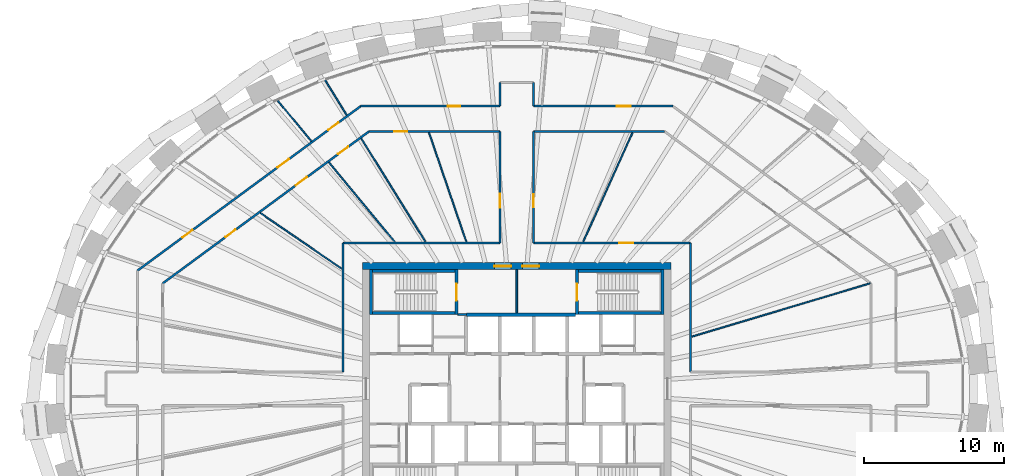
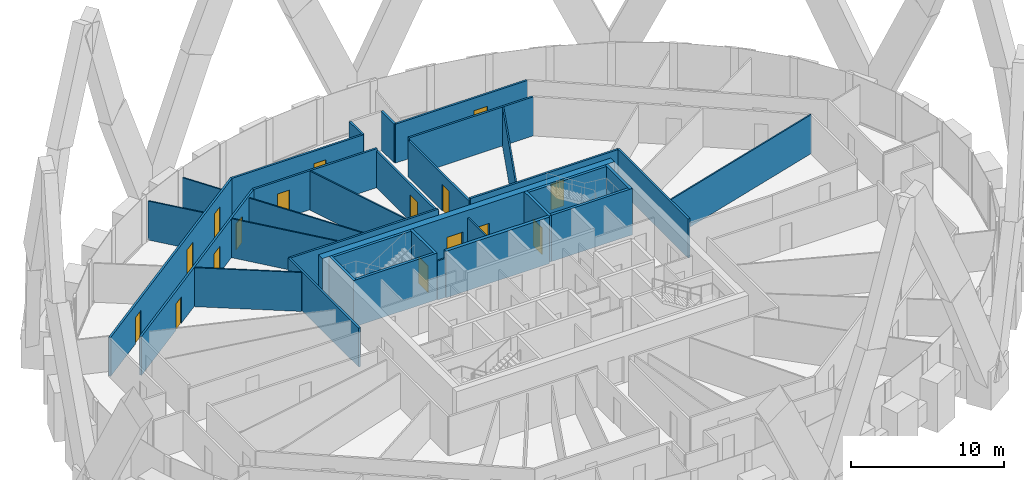
# One storey, part 11 of 14: 34 walls, 16 doors, 16 openings.
"""IFC4 building model written with IfcOpenShell, lengths in metres."""

from ifc_helpers import new_model, si_unit, direction, frame, frame_2d, origin, place, context, subcontext, project, spatial, rectangle, extrude, source, transform, mapped, material, layer, layer_set, type_object, element, fill, save


model = new_model("IFC4")

# Units and contexts
model_context = context("Model", 3, precision=1e-05, world=origin(), true_north=direction((0.0, 1.0)))
body_context = subcontext(model_context, "Body", "Model", "MODEL_VIEW")
ifc_project = project(units=[si_unit("LENGTHUNIT", "METRE"), si_unit("AREAUNIT", "SQUARE_METRE"), si_unit("VOLUMEUNIT", "CUBIC_METRE"), si_unit("PLANEANGLEUNIT", "RADIAN"), si_unit("MASSUNIT", "GRAM", prefix="KILO")], contexts=[model_context])

# Site, building, storey
site_placement = place(None, origin())
site = spatial("IfcSite", under=ifc_project, at=site_placement, CompositionType="ELEMENT")
building_placement = place(site_placement, origin())
building = spatial("IfcBuilding", under=site, at=building_placement, Name="Embergate Tower", CompositionType="ELEMENT")
storey_placement = place(building_placement, frame((0.0, 0.0, 257.800048828125)))
storey = spatial("IfcBuildingStorey", under=building, at=storey_placement, Name="L59", CompositionType="ELEMENT", Elevation=257.800048828125)

# Wall, openings, doors
ifc_material_1 = material(Name="Concrete C50", Category="concrete")
ifc_layer_1 = layer(ifc_material_1, 0.5)
ifc_layer_set_1 = layer_set([ifc_layer_1], Name="Concrete C50")
wall_type_1 = type_object("IfcWallType", Name="Core outer wall C50 500", PredefinedType="SHEAR", material=ifc_layer_set_1)
shared_shape_1 = source(origin(), body_context, "Body", "SweptSolid", [
    extrude(rectangle(XDim=22.0, YDim=0.5, at=frame_2d((11.0, 0.0))), origin(), (0.0, 0.0, 1.0), 3.89990234375),
])
wall_1_placement = place(storey_placement, frame((-11.0, 8.75, -0.199951171875), z_axis=(0.0, 0.0, 1.0), x_axis=(1.0, 0.0, 0.0)))
wall_1 = element("IfcWall", 1, at=wall_1_placement, inside=storey, type_object=wall_type_1, Name="CW-L59-N", PredefinedType="SHEAR", context=body_context, shape_type="MappedRepresentation", body=[
    mapped(shared_shape_1, transform((0.0, 0.0, 0.0))),
])
shared_shape_2 = source(origin(), body_context, "Body", "SweptSolid", [
    extrude(rectangle(XDim=1.199951171875, YDim=2.10009765625, at=frame_2d((0.60009765625, 1.050048828125))), frame((0.0, 0.260009765625, 0.0), z_axis=(0.0, -1.0, 0.0), x_axis=(1.0, 0.0, 0.0)), (0.0, 0.0, 1.0), 0.52001953125),
])
opening_1_placement = place(wall_1_placement, frame((9.39990234375, 0.0, 0.199951171875)))
opening_1 = element("IfcOpeningElement", 2, at=opening_1_placement, cuts=wall_1, Name="Opening IF-1", PredefinedType="OPENING", context=body_context, shape_type="MappedRepresentation", body=[
    mapped(shared_shape_2, transform((0.0, 0.0, 0.0))),
])
opening_2_placement = place(wall_1_placement, frame((11.39990234375, 0.0, 0.199951171875)))
opening_2 = element("IfcOpeningElement", 3, at=opening_2_placement, cuts=wall_1, Name="Opening IF-1", PredefinedType="OPENING", context=body_context, shape_type="MappedRepresentation", body=[
    mapped(shared_shape_2, transform((0.0, 0.0, 0.0))),
])
ifc_material_2 = material(Name="Escape fire door 1200")
door_type_1 = type_object("IfcDoorType", Name="Escape fire door 1200", OperationType="SINGLE_SWING_LEFT", PredefinedType="DOOR", material=ifc_material_2)
shared_shape_3 = source(origin(), body_context, "Body", "SweptSolid", [
    extrude(rectangle(XDim=1.199951171875, YDim=2.10009765625, at=frame_2d((0.60009765625, 1.050048828125))), frame((0.0, 0.02490234375, 0.0), z_axis=(0.0, -1.0, 0.0), x_axis=(1.0, 0.0, 0.0)), (0.0, 0.0, 1.0), 0.050048828125),
])
door_1_placement = place(opening_1_placement, origin())
door_1 = element("IfcDoor", 4, at=door_1_placement, inside=storey, type_object=door_type_1, Name="IF-1 door", OperationType="SINGLE_SWING_RIGHT", OverallHeight=2.10009765625, OverallWidth=1.199951171875, PredefinedType="DOOR", context=body_context, shape_type="MappedRepresentation", body=[
    mapped(shared_shape_3, transform((0.0, 0.0, 0.0))),
])
fill(opening_1, door_1)
door_2_placement = place(opening_2_placement, origin())
door_2 = element("IfcDoor", 5, at=door_2_placement, inside=storey, type_object=door_type_1, Name="IF-1 door", OperationType="SINGLE_SWING_RIGHT", OverallHeight=2.10009765625, OverallWidth=1.199951171875, PredefinedType="DOOR", context=body_context, shape_type="MappedRepresentation", body=[
    mapped(shared_shape_3, transform((0.0, 0.0, 0.0))),
])
fill(opening_2, door_2)

# Wall
ifc_layer_2 = layer(ifc_material_1, 0.199951171875)
ifc_layer_set_2 = layer_set([ifc_layer_2], Name="Concrete C50")
wall_type_2 = type_object("IfcWallType", Name="Stair enclosure wall reinforced concrete 250", PredefinedType="SHEAR", material=ifc_layer_set_2)
shared_shape_4 = source(origin(), body_context, "Body", "SweptSolid", [
    extrude(rectangle(XDim=6.300048828125, YDim=0.199951171875, at=frame_2d((3.14990234375, 0.0))), origin(), (0.0, 0.0, 1.0), 3.699951171875),
])
wall_2_placement = place(storey_placement, frame((10.5, 5.39990234375, 0.0), z_axis=(0.0, 0.0, 1.0), x_axis=(-1.0, 0.0, 0.0)))
element("IfcWall", 6, at=wall_2_placement, inside=storey, type_object=wall_type_2, Name="SE-1 wall", PredefinedType="SHEAR", context=body_context, shape_type="MappedRepresentation", body=[
    mapped(shared_shape_4, transform((0.0, 0.0, 0.0))),
])

# Wall, opening, door
shared_shape_5 = source(origin(), body_context, "Body", "SweptSolid", [
    extrude(rectangle(XDim=3.199951171875, YDim=0.199951171875, at=frame_2d((1.60009765625, 0.0))), origin(), (0.0, 0.0, 1.0), 3.699951171875),
])
wall_3_placement = place(storey_placement, frame((-4.300048828125, 5.300048828125, 0.0), z_axis=(0.0, 0.0, 1.0), x_axis=(0.0, 1.0, 0.0)))
wall_3 = element("IfcWall", 7, at=wall_3_placement, inside=storey, type_object=wall_type_2, Name="SE-1 wall", PredefinedType="SHEAR", context=body_context, shape_type="MappedRepresentation", body=[
    mapped(shared_shape_5, transform((0.0, 0.0, 0.0))),
])
shared_shape_6 = source(origin(), body_context, "Body", "SweptSolid", [
    extrude(rectangle(XDim=1.199951171875, YDim=2.10009765625, at=frame_2d((0.60009765625, 1.050048828125))), frame((0.0, 0.10986328125, 0.0), z_axis=(0.0, -1.0, 0.0), x_axis=(1.0, 0.0, 0.0)), (0.0, 0.0, 1.0), 0.219970703125),
])
opening_3_placement = place(wall_3_placement, frame((1.0, 0.0, 0.0)))
opening_3 = element("IfcOpeningElement", 8, at=opening_3_placement, cuts=wall_3, Name="Opening IF-2", PredefinedType="OPENING", context=body_context, shape_type="MappedRepresentation", body=[
    mapped(shared_shape_6, transform((0.0, 0.0, 0.0))),
])
ifc_material_3 = material(Name="Stair enclosure door 1200")
door_type_2 = type_object("IfcDoorType", Name="Stair enclosure door 1200", OperationType="SINGLE_SWING_LEFT", PredefinedType="DOOR", material=ifc_material_3)
door_3_placement = place(opening_3_placement, origin())
door_3 = element("IfcDoor", 9, at=door_3_placement, inside=storey, type_object=door_type_2, Name="IF-2 door", OperationType="SINGLE_SWING_LEFT", OverallHeight=2.10009765625, OverallWidth=1.199951171875, PredefinedType="DOOR", context=body_context, shape_type="MappedRepresentation", body=[
    mapped(shared_shape_3, transform((0.0, 0.0, 0.0))),
])
fill(opening_3, door_3)

wall_4_placement = place(storey_placement, frame((4.300048828125, 8.5, 0.0), z_axis=(0.0, 0.0, 1.0), x_axis=(0.0, -1.0, 0.0)))
wall_4 = element("IfcWall", 10, at=wall_4_placement, inside=storey, type_object=wall_type_2, Name="SE-1 wall", PredefinedType="SHEAR", context=body_context, shape_type="MappedRepresentation", body=[
    mapped(shared_shape_5, transform((0.0, 0.0, 0.0))),
])
opening_4_placement = place(wall_4_placement, frame((1.0, 0.0, 0.0)))
opening_4 = element("IfcOpeningElement", 11, at=opening_4_placement, cuts=wall_4, Name="Opening IF-2", PredefinedType="OPENING", context=body_context, shape_type="MappedRepresentation", body=[
    mapped(shared_shape_6, transform((0.0, 0.0, 0.0))),
])
door_4_placement = place(opening_4_placement, origin())
door_4 = element("IfcDoor", 12, at=door_4_placement, inside=storey, type_object=door_type_2, Name="IF-2 door", OperationType="SINGLE_SWING_RIGHT", OverallHeight=2.10009765625, OverallWidth=1.199951171875, PredefinedType="DOOR", context=body_context, shape_type="MappedRepresentation", body=[
    mapped(shared_shape_3, transform((0.0, 0.0, 0.0))),
])
fill(opening_4, door_4)

# Walls
ifc_material_4 = material(Name="Corridor wall dry-lined 150")
ifc_layer_3 = layer(ifc_material_4, 0.14990234375)
ifc_layer_set_3 = layer_set([ifc_layer_3], Name="Corridor wall dry-lined 150")
wall_type_3 = type_object("IfcWallType", Name="Corridor wall dry-lined 150", PredefinedType="PARTITIONING", material=ifc_layer_set_3)
shared_shape_7 = source(origin(), body_context, "Body", "SweptSolid", [
    extrude(rectangle(XDim=9.199951171875, YDim=0.14990234375, at=frame_2d((4.60009765625, 0.0))), origin(), (0.0, 0.0, 1.0), 3.099853515625),
])
for number, where, z_axis, x_axis, name in (
    (13, (12.39990234375, 1.199951171875, 0.0), (0.0, 0.0, 1.0), (0.0, 1.0, 0.0), "IP-2 wall"),
    (14, (-12.39990234375, 10.39990234375, 0.0), (0.0, 0.0, 1.0), (0.0, -1.0, 0.0), "IP-2 wall"),
):
    element("IfcWall", number, at=place(storey_placement, frame(where, z_axis=z_axis, x_axis=x_axis)), inside=storey, type_object=wall_type_3, Name=name, PredefinedType="PARTITIONING", context=body_context, shape_type="MappedRepresentation", body=[
        mapped(shared_shape_7, transform((0.0, 0.0, 0.0))),
    ])

# Wall, opening, door
shared_shape_8 = source(origin(), body_context, "Body", "SweptSolid", [
    extrude(rectangle(XDim=11.199951171875, YDim=0.14990234375, at=frame_2d((5.60009765625, 0.0))), origin(), (0.0, 0.0, 1.0), 3.099853515625),
])
wall_5_placement = place(storey_placement, frame((1.199951171875, 10.39990234375, 0.0), z_axis=(0.0, 0.0, 1.0), x_axis=(1.0, 0.0, 0.0)))
wall_5 = element("IfcWall", 15, at=wall_5_placement, inside=storey, type_object=wall_type_3, Name="IP-2 wall", PredefinedType="PARTITIONING", context=body_context, shape_type="MappedRepresentation", body=[
    mapped(shared_shape_8, transform((0.0, 0.0, 0.0))),
])
shared_shape_9 = source(origin(), body_context, "Body", "SweptSolid", [
    extrude(rectangle(XDim=1.0, YDim=2.10009765625, at=frame_2d((0.5, 1.050048828125))), frame((0.0, 0.0849609375, 0.0), z_axis=(0.0, -1.0, 0.0), x_axis=(1.0, 0.0, 0.0)), (0.0, 0.0, 1.0), 0.169921875),
])
opening_5_placement = place(wall_5_placement, frame((6.089111328125, 0.0, 0.0)))
opening_5 = element("IfcOpeningElement", 16, at=opening_5_placement, cuts=wall_5, Name="Opening ID-2", PredefinedType="OPENING", context=body_context, shape_type="MappedRepresentation", body=[
    mapped(shared_shape_9, transform((0.0, 0.0, 0.0))),
])
ifc_material_5 = material(Name="Interior door 1000")
door_type_3 = type_object("IfcDoorType", Name="Interior door 1000", OperationType="SINGLE_SWING_LEFT", PredefinedType="DOOR", material=ifc_material_5)
shared_shape_10 = source(origin(), body_context, "Body", "SweptSolid", [
    extrude(rectangle(XDim=1.0, YDim=2.10009765625, at=frame_2d((0.5, 1.050048828125))), frame((0.0, 0.02490234375, 0.0), z_axis=(0.0, -1.0, 0.0), x_axis=(1.0, 0.0, 0.0)), (0.0, 0.0, 1.0), 0.050048828125),
])
door_5_placement = place(opening_5_placement, origin())
door_5 = element("IfcDoor", 17, at=door_5_placement, inside=storey, type_object=door_type_3, Name="ID-2 door", OperationType="SINGLE_SWING_LEFT", OverallHeight=2.10009765625, OverallWidth=1.0, PredefinedType="DOOR", context=body_context, shape_type="MappedRepresentation", body=[
    mapped(shared_shape_10, transform((0.0, 0.0, 0.0))),
])
fill(opening_5, door_5)

# Walls
wall_6_placement = place(storey_placement, frame((-12.39990234375, 10.39990234375, 0.0), z_axis=(0.0, 0.0, 1.0), x_axis=(1.0, 0.0, 0.0)))
element("IfcWall", 18, at=wall_6_placement, inside=storey, type_object=wall_type_3, Name="IP-2 wall", PredefinedType="PARTITIONING", context=body_context, shape_type="MappedRepresentation", body=[
    mapped(shared_shape_8, transform((0.0, 0.0, 0.0))),
])
ifc_layer_4 = layer(ifc_material_1, 0.25)
ifc_layer_set_4 = layer_set([ifc_layer_4], Name="Concrete C50")
wall_type_4 = type_object("IfcWallType", Name="Hoistway wall reinforced concrete 250", PredefinedType="SHEAR", material=ifc_layer_set_4)
shared_shape_11 = source(origin(), body_context, "Body", "SweptSolid", [
    extrude(rectangle(XDim=7.800048828125, YDim=0.25, at=frame_2d((3.89990234375, 0.0))), origin(), (0.0, 0.0, 1.0), 3.699951171875),
])
wall_7_placement = place(storey_placement, frame((4.199951171875, 5.300048828125, 0.0), z_axis=(0.0, 0.0, 1.0), x_axis=(-1.0, 0.0, 0.0)))
element("IfcWall", 19, at=wall_7_placement, inside=storey, type_object=wall_type_4, Name="HW-1 wall", PredefinedType="SHEAR", context=body_context, shape_type="MappedRepresentation", body=[
    mapped(shared_shape_11, transform((0.0, 0.0, 0.0))),
])
ifc_material_6 = material(Name="Core partition blockwork 120")
ifc_layer_5 = layer(ifc_material_6, 0.1201171875)
ifc_layer_set_5 = layer_set([ifc_layer_5], Name="Core partition blockwork 120")
wall_type_5 = type_object("IfcWallType", Name="Core partition blockwork 120", PredefinedType="PARTITIONING", material=ifc_layer_set_5)
shared_shape_12 = source(origin(), body_context, "Body", "SweptSolid", [
    extrude(rectangle(XDim=3.074951171875, YDim=0.1201171875, at=frame_2d((1.53759765625, 0.0))), origin(), (0.0, 0.0, 1.0), 3.099853515625),
])
wall_8_placement = place(storey_placement, frame((0.0, 5.425048828125, 0.0), z_axis=(0.0, 0.0, 1.0), x_axis=(0.0, 1.0, 0.0)))
element("IfcWall", 20, at=wall_8_placement, inside=storey, type_object=wall_type_5, Name="IP-3 wall", PredefinedType="PARTITIONING", context=body_context, shape_type="MappedRepresentation", body=[
    mapped(shared_shape_12, transform((0.0, 0.0, 0.0))),
])
shared_shape_13 = source(origin(), body_context, "Body", "SweptSolid", [
    extrude(rectangle(XDim=6.298095703125, YDim=0.199951171875, at=frame_2d((3.14892578125, 0.0))), origin(), (0.0, 0.0, 1.0), 3.699951171875),
])
for number, where, z_axis, x_axis, name in (
    (21, (-4.201904296875, 5.39990234375, 0.0), (0.0, 0.0, 1.0), (-1.0, 0.0, 0.0), "SE-1 wall"),
    (22, (-4.201904296875, 8.39990234375, 0.0), (0.0, 0.0, 1.0), (-1.0, 0.0, 0.0), "SE-1 wall"),
    (23, (10.5, 8.39990234375, 0.0), (0.0, 0.0, 1.0), (-1.0, 0.0, 0.0), "SE-1 wall"),
):
    element("IfcWall", number, at=place(storey_placement, frame(where, z_axis=z_axis, x_axis=x_axis)), inside=storey, type_object=wall_type_2, Name=name, PredefinedType="SHEAR", context=body_context, shape_type="MappedRepresentation", body=[
        mapped(shared_shape_13, transform((0.0, 0.0, 0.0))),
    ])
shared_shape_14 = source(origin(), body_context, "Body", "SweptSolid", [
    extrude(rectangle(XDim=3.197998046875, YDim=0.199951171875, at=frame_2d((1.59912109375, 0.0))), origin(), (0.0, 0.0, 1.0), 3.699951171875),
])
for number, where, z_axis, x_axis, name in (
    (24, (-10.39990234375, 8.5, 0.0), (0.0, 0.0, 1.0), (0.0, -1.0, 0.0), "SE-1 wall"),
    (25, (10.39990234375, 5.302001953125, 0.0), (0.0, 0.0, 1.0), (0.0, 1.0, 0.0), "SE-1 wall"),
):
    element("IfcWall", number, at=place(storey_placement, frame(where, z_axis=z_axis, x_axis=x_axis)), inside=storey, type_object=wall_type_2, Name=name, PredefinedType="SHEAR", context=body_context, shape_type="MappedRepresentation", body=[
        mapped(shared_shape_14, transform((0.0, 0.0, 0.0))),
    ])

# Wall, openings, doors
shared_shape_15 = source(origin(), body_context, "Body", "SweptSolid", [
    extrude(rectangle(XDim=19.77294921875, YDim=0.14990234375, at=frame_2d((9.886474609375, 0.0))), origin(), (0.0, 0.0, 1.0), 3.099853515625),
])
wall_9_placement = place(storey_placement, frame((-27.0458984375, 8.431884765625, 0.0), z_axis=(0.0, 0.0, 1.0), x_axis=(0.805138380898, 0.593086998344, 0.0)))
wall_9 = element("IfcWall", 26, at=wall_9_placement, inside=storey, type_object=wall_type_3, Name="IP-2 wall", PredefinedType="PARTITIONING", context=body_context, shape_type="MappedRepresentation", body=[
    mapped(shared_shape_15, transform((0.0, 0.0, 0.0))),
])
shared_shape_16 = source(origin(), body_context, "Body", "SweptSolid", [
    extrude(rectangle(XDim=0.89990234375, YDim=2.10009765625, at=frame_2d((0.449951171875, 1.050048828125))), frame((0.0, 0.0849609375, 0.0), z_axis=(0.0, -1.0, 0.0), x_axis=(1.0, 0.0, 0.0)), (0.0, 0.0, 1.0), 0.169921875),
])
opening_6_placement = place(wall_9_placement, frame((16.898193359375, 0.0, 0.0)))
opening_6 = element("IfcOpeningElement", 27, at=opening_6_placement, cuts=wall_9, Name="Opening IF-1c", PredefinedType="OPENING", context=body_context, shape_type="MappedRepresentation", body=[
    mapped(shared_shape_16, transform((0.0, 0.0, 0.0))),
])
opening_7_placement = place(wall_9_placement, frame((12.401611328125, 0.0, 0.0)))
opening_7 = element("IfcOpeningElement", 28, at=opening_7_placement, cuts=wall_9, Name="Opening ID-2", PredefinedType="OPENING", context=body_context, shape_type="MappedRepresentation", body=[
    mapped(shared_shape_9, transform((0.0, 0.0, 0.0))),
])
opening_8_placement = place(wall_9_placement, frame((3.98876953125, 0.0, 0.0)))
opening_8 = element("IfcOpeningElement", 29, at=opening_8_placement, cuts=wall_9, Name="Opening IF-1c", PredefinedType="OPENING", context=body_context, shape_type="MappedRepresentation", body=[
    mapped(shared_shape_16, transform((0.0, 0.0, 0.0))),
])
ifc_material_7 = material(Name="Escape fire door 900")
door_type_4 = type_object("IfcDoorType", Name="Escape fire door 900", OperationType="SINGLE_SWING_LEFT", PredefinedType="DOOR", material=ifc_material_7)
shared_shape_17 = source(origin(), body_context, "Body", "SweptSolid", [
    extrude(rectangle(XDim=0.89990234375, YDim=2.10009765625, at=frame_2d((0.449951171875, 1.050048828125))), frame((0.0, 0.02490234375, 0.0), z_axis=(0.0, -1.0, 0.0), x_axis=(1.0, 0.0, 0.0)), (0.0, 0.0, 1.0), 0.050048828125),
])
door_6_placement = place(opening_6_placement, origin())
door_6 = element("IfcDoor", 30, at=door_6_placement, inside=storey, type_object=door_type_4, Name="IF-1 door", OperationType="SINGLE_SWING_LEFT", OverallHeight=2.10009765625, OverallWidth=0.89990234375, PredefinedType="DOOR", context=body_context, shape_type="MappedRepresentation", body=[
    mapped(shared_shape_17, transform((0.0, 0.0, 0.0))),
])
fill(opening_6, door_6)
door_7_placement = place(opening_8_placement, origin())
door_7 = element("IfcDoor", 31, at=door_7_placement, inside=storey, type_object=door_type_4, Name="IF-1 door", OperationType="SINGLE_SWING_RIGHT", OverallHeight=2.10009765625, OverallWidth=0.89990234375, PredefinedType="DOOR", context=body_context, shape_type="MappedRepresentation", body=[
    mapped(shared_shape_17, transform((0.0, 0.0, 0.0))),
])
fill(opening_8, door_7)
door_8_placement = place(opening_7_placement, origin())
door_8 = element("IfcDoor", 32, at=door_8_placement, inside=storey, type_object=door_type_3, Name="ID-2 door", OperationType="SINGLE_SWING_RIGHT", OverallHeight=2.10009765625, OverallWidth=1.0, PredefinedType="DOOR", context=body_context, shape_type="MappedRepresentation", body=[
    mapped(shared_shape_10, transform((0.0, 0.0, 0.0))),
])
fill(opening_7, door_8)

shared_shape_18 = source(origin(), body_context, "Body", "SweptSolid", [
    extrude(rectangle(XDim=18.27197265625, YDim=0.14990234375, at=frame_2d((9.135986328125, 0.0))), origin(), (0.0, 0.0, 1.0), 3.099853515625),
])
wall_10_placement = place(storey_placement, frame((-25.24609375, 7.52294921875, 0.0), z_axis=(0.0, 0.0, 1.0), x_axis=(0.805176050135, 0.593035857507, 0.0)))
wall_10 = element("IfcWall", 33, at=wall_10_placement, inside=storey, type_object=wall_type_3, Name="IP-2 wall", PredefinedType="PARTITIONING", context=body_context, shape_type="MappedRepresentation", body=[
    mapped(shared_shape_18, transform((0.0, 0.0, 0.0))),
])
opening_9_placement = place(wall_10_placement, frame((15.531982421875, 0.0, 0.0)))
opening_9 = element("IfcOpeningElement", 34, at=opening_9_placement, cuts=wall_10, Name="Opening IF-1c", PredefinedType="OPENING", context=body_context, shape_type="MappedRepresentation", body=[
    mapped(shared_shape_16, transform((0.0, 0.0, 0.0))),
])
opening_10_placement = place(wall_10_placement, frame((11.779296875, 0.0, 0.0)))
opening_10 = element("IfcOpeningElement", 35, at=opening_10_placement, cuts=wall_10, Name="Opening ID-2", PredefinedType="OPENING", context=body_context, shape_type="MappedRepresentation", body=[
    mapped(shared_shape_9, transform((0.0, 0.0, 0.0))),
])
opening_11_placement = place(wall_10_placement, frame((5.5576171875, 0.0, 0.0)))
opening_11 = element("IfcOpeningElement", 36, at=opening_11_placement, cuts=wall_10, Name="Opening IF-1c", PredefinedType="OPENING", context=body_context, shape_type="MappedRepresentation", body=[
    mapped(shared_shape_16, transform((0.0, 0.0, 0.0))),
])
door_9_placement = place(opening_9_placement, origin())
door_9 = element("IfcDoor", 37, at=door_9_placement, inside=storey, type_object=door_type_4, Name="IF-1 door", OperationType="SINGLE_SWING_RIGHT", OverallHeight=2.10009765625, OverallWidth=0.89990234375, PredefinedType="DOOR", context=body_context, shape_type="MappedRepresentation", body=[
    mapped(shared_shape_17, transform((0.0, 0.0, 0.0))),
])
fill(opening_9, door_9)
door_10_placement = place(opening_11_placement, origin())
door_10 = element("IfcDoor", 38, at=door_10_placement, inside=storey, type_object=door_type_4, Name="IF-1 door", OperationType="SINGLE_SWING_LEFT", OverallHeight=2.10009765625, OverallWidth=0.89990234375, PredefinedType="DOOR", context=body_context, shape_type="MappedRepresentation", body=[
    mapped(shared_shape_17, transform((0.0, 0.0, 0.0))),
])
fill(opening_11, door_10)
door_11_placement = place(opening_10_placement, origin())
door_11 = element("IfcDoor", 39, at=door_11_placement, inside=storey, type_object=door_type_3, Name="ID-2 door", OperationType="SINGLE_SWING_RIGHT", OverallHeight=2.10009765625, OverallWidth=1.0, PredefinedType="DOOR", context=body_context, shape_type="MappedRepresentation", body=[
    mapped(shared_shape_10, transform((0.0, 0.0, 0.0))),
])
fill(opening_10, door_11)

# Wall, opening, door
shared_shape_19 = source(origin(), body_context, "Body", "SweptSolid", [
    extrude(rectangle(XDim=9.926025390625, YDim=0.14990234375, at=frame_2d((4.962890625, 0.0))), origin(), (0.0, 0.0, 1.0), 3.099853515625),
])
wall_11_placement = place(storey_placement, frame((1.199951171875, 20.158935546875, 0.0), z_axis=(0.0, 0.0, 1.0), x_axis=(1.0, 0.0, 0.0)))
wall_11 = element("IfcWall", 40, at=wall_11_placement, inside=storey, type_object=wall_type_3, Name="IP-2 wall", PredefinedType="PARTITIONING", context=body_context, shape_type="MappedRepresentation", body=[
    mapped(shared_shape_19, transform((0.0, 0.0, 0.0))),
])
opening_12_placement = place(wall_11_placement, frame((5.9208984375, 0.0, 0.0)))
opening_12 = element("IfcOpeningElement", 41, at=opening_12_placement, cuts=wall_11, Name="Opening ID-2", PredefinedType="OPENING", context=body_context, shape_type="MappedRepresentation", body=[
    mapped(shared_shape_9, transform((0.0, 0.0, 0.0))),
])
door_12_placement = place(opening_12_placement, origin())
door_12 = element("IfcDoor", 42, at=door_12_placement, inside=storey, type_object=door_type_3, Name="ID-2 door", OperationType="SINGLE_SWING_LEFT", OverallHeight=2.10009765625, OverallWidth=1.0, PredefinedType="DOOR", context=body_context, shape_type="MappedRepresentation", body=[
    mapped(shared_shape_10, transform((0.0, 0.0, 0.0))),
])
fill(opening_12, door_12)

wall_12_placement = place(storey_placement, frame((-11.1259765625, 20.158935546875, 0.0), z_axis=(0.0, 0.0, 1.0), x_axis=(1.0, 0.0, 0.0)))
wall_12 = element("IfcWall", 43, at=wall_12_placement, inside=storey, type_object=wall_type_3, Name="IP-2 wall", PredefinedType="PARTITIONING", context=body_context, shape_type="MappedRepresentation", body=[
    mapped(shared_shape_19, transform((0.0, 0.0, 0.0))),
])
opening_13_placement = place(wall_12_placement, frame((6.197509765625, 0.0, 0.0)))
opening_13 = element("IfcOpeningElement", 44, at=opening_13_placement, cuts=wall_12, Name="Opening IF-1c", PredefinedType="OPENING", context=body_context, shape_type="MappedRepresentation", body=[
    mapped(shared_shape_16, transform((0.0, 0.0, 0.0))),
])
door_13_placement = place(opening_13_placement, origin())
door_13 = element("IfcDoor", 45, at=door_13_placement, inside=storey, type_object=door_type_4, Name="IF-1 door", OperationType="SINGLE_SWING_RIGHT", OverallHeight=2.10009765625, OverallWidth=0.89990234375, PredefinedType="DOOR", context=body_context, shape_type="MappedRepresentation", body=[
    mapped(shared_shape_17, transform((0.0, 0.0, 0.0))),
])
fill(opening_13, door_13)

# Walls
shared_shape_20 = source(origin(), body_context, "Body", "SweptSolid", [
    extrude(rectangle(XDim=1.68701171875, YDim=0.14990234375, at=frame_2d((0.843505859375, 0.0))), origin(), (0.0, 0.0, 1.0), 3.099853515625),
])
for number, where, z_axis, x_axis, name in (
    (46, (-1.199951171875, 20.158935546875, 0.0), (0.0, 0.0, 1.0), (0.0, 1.0, 0.0), "IP-2 wall"),
    (47, (1.199951171875, 21.845947265625, 0.0), (0.0, 0.0, 1.0), (0.0, -1.0, 0.0), "IP-2 wall"),
):
    element("IfcWall", number, at=place(storey_placement, frame(where, z_axis=z_axis, x_axis=x_axis)), inside=storey, type_object=wall_type_3, Name=name, PredefinedType="PARTITIONING", context=body_context, shape_type="MappedRepresentation", body=[
        mapped(shared_shape_20, transform((0.0, 0.0, 0.0))),
    ])

# Wall, opening, door
shared_shape_21 = source(origin(), body_context, "Body", "SweptSolid", [
    extrude(rectangle(XDim=9.333984375, YDim=0.14990234375, at=frame_2d((4.6669921875, 0.0))), origin(), (0.0, 0.0, 1.0), 3.099853515625),
])
wall_13_placement = place(storey_placement, frame((-1.199951171875, 18.35888671875, 0.0), z_axis=(0.0, 0.0, 1.0), x_axis=(-1.0, 0.0, 0.0)))
wall_13 = element("IfcWall", 48, at=wall_13_placement, inside=storey, type_object=wall_type_3, Name="IP-2 wall", PredefinedType="PARTITIONING", context=body_context, shape_type="MappedRepresentation", body=[
    mapped(shared_shape_21, transform((0.0, 0.0, 0.0))),
])
opening_14_placement = place(wall_13_placement, frame((6.6240234375, 0.0, 0.0)))
opening_14 = element("IfcOpeningElement", 49, at=opening_14_placement, cuts=wall_13, Name="Opening IF-1c", PredefinedType="OPENING", context=body_context, shape_type="MappedRepresentation", body=[
    mapped(shared_shape_16, transform((0.0, 0.0, 0.0))),
])
door_14_placement = place(opening_14_placement, origin())
door_14 = element("IfcDoor", 50, at=door_14_placement, inside=storey, type_object=door_type_4, Name="IF-1 door", OperationType="SINGLE_SWING_LEFT", OverallHeight=2.10009765625, OverallWidth=0.89990234375, PredefinedType="DOOR", context=body_context, shape_type="MappedRepresentation", body=[
    mapped(shared_shape_17, transform((0.0, 0.0, 0.0))),
])
fill(opening_14, door_14)

# Wall
wall_14_placement = place(storey_placement, frame((10.533935546875, 18.35888671875, 0.0), z_axis=(0.0, 0.0, 1.0), x_axis=(-1.0, 0.0, 0.0)))
element("IfcWall", 51, at=wall_14_placement, inside=storey, type_object=wall_type_3, Name="IP-2 wall", PredefinedType="PARTITIONING", context=body_context, shape_type="MappedRepresentation", body=[
    mapped(shared_shape_21, transform((0.0, 0.0, 0.0))),
])

# Wall, opening, door
shared_shape_22 = source(origin(), body_context, "Body", "SweptSolid", [
    extrude(rectangle(XDim=7.958984375, YDim=0.14990234375, at=frame_2d((3.9794921875, 0.0))), origin(), (0.0, 0.0, 1.0), 2.89990234375),
])
wall_15_placement = place(storey_placement, frame((-1.199951171875, 10.39990234375, 0.0), z_axis=(0.0, 0.0, 1.0), x_axis=(0.0, 1.0, 0.0)))
wall_15 = element("IfcWall", 52, at=wall_15_placement, inside=storey, type_object=wall_type_3, Name="IP-2 wall", PredefinedType="PARTITIONING", context=body_context, shape_type="MappedRepresentation", body=[
    mapped(shared_shape_22, transform((0.0, 0.0, 0.0))),
])
opening_15_placement = place(wall_15_placement, frame((2.52587890625, 0.0, 0.0)))
opening_15 = element("IfcOpeningElement", 53, at=opening_15_placement, cuts=wall_15, Name="Opening ID-2", PredefinedType="OPENING", context=body_context, shape_type="MappedRepresentation", body=[
    mapped(shared_shape_9, transform((0.0, 0.0, 0.0))),
])
door_15_placement = place(opening_15_placement, origin())
door_15 = element("IfcDoor", 54, at=door_15_placement, inside=storey, type_object=door_type_3, Name="ID-2 door", OperationType="SINGLE_SWING_RIGHT", OverallHeight=2.10009765625, OverallWidth=1.0, PredefinedType="DOOR", context=body_context, shape_type="MappedRepresentation", body=[
    mapped(shared_shape_10, transform((0.0, 0.0, 0.0))),
])
fill(opening_15, door_15)

wall_16_placement = place(storey_placement, frame((1.199951171875, 18.35888671875, 0.0), z_axis=(0.0, 0.0, 1.0), x_axis=(0.0, -1.0, 0.0)))
wall_16 = element("IfcWall", 55, at=wall_16_placement, inside=storey, type_object=wall_type_3, Name="IP-2 wall", PredefinedType="PARTITIONING", context=body_context, shape_type="MappedRepresentation", body=[
    mapped(shared_shape_22, transform((0.0, 0.0, 0.0))),
])
opening_16_placement = place(wall_16_placement, frame((4.498291015625, 0.0, 0.0)))
opening_16 = element("IfcOpeningElement", 56, at=opening_16_placement, cuts=wall_16, Name="Opening IF-1c", PredefinedType="OPENING", context=body_context, shape_type="MappedRepresentation", body=[
    mapped(shared_shape_16, transform((0.0, 0.0, 0.0))),
])
door_16_placement = place(opening_16_placement, origin())
door_16 = element("IfcDoor", 57, at=door_16_placement, inside=storey, type_object=door_type_4, Name="IF-1 door", OperationType="SINGLE_SWING_LEFT", OverallHeight=2.10009765625, OverallWidth=0.89990234375, PredefinedType="DOOR", context=body_context, shape_type="MappedRepresentation", body=[
    mapped(shared_shape_17, transform((0.0, 0.0, 0.0))),
])
fill(opening_16, door_16)

# Walls
ifc_material_8 = material(Name="Partition dry-lined 100")
ifc_layer_6 = layer(ifc_material_8, 0.10009765625)
ifc_layer_set_6 = layer_set([ifc_layer_6], Name="Partition dry-lined 100")
wall_type_6 = type_object("IfcWallType", Name="Partition dry-lined 100", PredefinedType="PARTITIONING", material=ifc_layer_set_6)
shared_shape_23 = source(origin(), body_context, "Body", "SweptSolid", [
    extrude(rectangle(XDim=3.001953125, YDim=0.10009765625, at=frame_2d((1.5009765625, 0.0))), origin(), (0.0, 0.0, 1.0), 2.89990234375),
])
wall_17_placement = place(storey_placement, frame((-12.12109375, 19.51904296875, 0.0), z_axis=(0.0, 0.0, 1.0), x_axis=(-0.527650303737, 0.84946168658, 0.0)))
element("IfcWall", 58, at=wall_17_placement, inside=storey, type_object=wall_type_6, Name="IP-1 wall", PredefinedType="PARTITIONING", context=body_context, shape_type="MappedRepresentation", body=[
    mapped(shared_shape_23, transform((0.0, 0.0, 0.0))),
])
shared_shape_24 = source(origin(), body_context, "Body", "SweptSolid", [
    extrude(rectangle(XDim=8.658935546875, YDim=0.10009765625, at=frame_2d((4.32958984375, 0.0))), origin(), (0.0, 0.0, 1.0), 2.89990234375),
])
wall_18_placement = place(storey_placement, frame((-6.52099609375, 10.5009765625, 0.0), z_axis=(0.0, 0.0, 1.0), x_axis=(-0.527558664612, 0.849518602146, 0.0)))
element("IfcWall", 59, at=wall_18_placement, inside=storey, type_object=wall_type_6, Name="IP-1 wall", PredefinedType="PARTITIONING", context=body_context, shape_type="MappedRepresentation", body=[
    mapped(shared_shape_24, transform((0.0, 0.0, 0.0))),
])
shared_shape_25 = source(origin(), body_context, "Body", "SweptSolid", [
    extrude(rectangle(XDim=13.298583984375, YDim=0.10009765625, at=frame_2d((6.6494140625, 0.0))), origin(), (0.0, 0.0, 1.0), 3.099853515625),
])
wall_19_placement = place(storey_placement, frame((12.489013671875, 3.72900390625, 0.0), z_axis=(0.0, 0.0, 1.0), x_axis=(0.958216985654, 0.286042319254, 0.0)))
element("IfcWall", 60, at=wall_19_placement, inside=storey, type_object=wall_type_6, Name="IP-1 wall", PredefinedType="PARTITIONING", context=body_context, shape_type="MappedRepresentation", body=[
    mapped(shared_shape_25, transform((0.0, 0.0, 0.0))),
])
shared_shape_26 = source(origin(), body_context, "Body", "SweptSolid", [
    extrude(rectangle(XDim=8.221435546875, YDim=0.10009765625, at=frame_2d((4.11083984375, 0.0))), origin(), (0.0, 0.0, 1.0), 3.099853515625),
])
wall_20_placement = place(storey_placement, frame((-3.595947265625, 10.490966796875, 0.0), z_axis=(0.0, 0.0, 1.0), x_axis=(-0.3242787715, 0.945961562832, 0.0)))
element("IfcWall", 61, at=wall_20_placement, inside=storey, type_object=wall_type_6, Name="IP-1 wall", PredefinedType="PARTITIONING", context=body_context, shape_type="MappedRepresentation", body=[
    mapped(shared_shape_26, transform((0.0, 0.0, 0.0))),
])
shared_shape_27 = source(origin(), body_context, "Body", "SweptSolid", [
    extrude(rectangle(XDim=8.52392578125, YDim=0.10009765625, at=frame_2d((4.261962890625, 0.0))), origin(), (0.0, 0.0, 1.0), 3.099853515625),
])
wall_21_placement = place(storey_placement, frame((4.741943359375, 10.49609375, 0.0), z_axis=(0.0, 0.0, 1.0), x_axis=(0.411777796505, 0.911284284022, 0.0)))
element("IfcWall", 62, at=wall_21_placement, inside=storey, type_object=wall_type_6, Name="IP-1 wall", PredefinedType="PARTITIONING", context=body_context, shape_type="MappedRepresentation", body=[
    mapped(shared_shape_27, transform((0.0, 0.0, 0.0))),
])
shared_shape_28 = source(origin(), body_context, "Body", "SweptSolid", [
    extrude(rectangle(XDim=3.853515625, YDim=0.10009765625, at=frame_2d((1.9267578125, 0.0))), origin(), (0.0, 0.0, 1.0), 3.099853515625),
])
wall_22_placement = place(storey_placement, frame((-14.64697265625, 17.657958984375, 0.0), z_axis=(0.0, 0.0, 1.0), x_axis=(-0.638381649622, 0.76971999417, 0.0)))
element("IfcWall", 63, at=wall_22_placement, inside=storey, type_object=wall_type_6, Name="IP-1 wall", PredefinedType="PARTITIONING", context=body_context, shape_type="MappedRepresentation", body=[
    mapped(shared_shape_28, transform((0.0, 0.0, 0.0))),
])
shared_shape_29 = source(origin(), body_context, "Body", "SweptSolid", [
    extrude(rectangle(XDim=7.338134765625, YDim=0.10009765625, at=frame_2d((3.6689453125, 0.0))), origin(), (0.0, 0.0, 1.0), 3.099853515625),
])
wall_23_placement = place(storey_placement, frame((-8.715087890625, 10.507080078125, 0.0), z_axis=(0.0, 0.0, 1.0), x_axis=(-0.63842866365, 0.769680999785, 0.0)))
element("IfcWall", 64, at=wall_23_placement, inside=storey, type_object=wall_type_6, Name="IP-1 wall", PredefinedType="PARTITIONING", context=body_context, shape_type="MappedRepresentation", body=[
    mapped(shared_shape_29, transform((0.0, 0.0, 0.0))),
])
shared_shape_30 = source(origin(), body_context, "Body", "SweptSolid", [
    extrude(rectangle(XDim=7.0048828125, YDim=0.10009765625, at=frame_2d((3.50244140625, 0.0))), origin(), (0.0, 0.0, 1.0), 3.099853515625),
])
wall_24_placement = place(storey_placement, frame((-12.5029296875, 8.577880859375, 0.0), z_axis=(0.0, 0.0, 1.0), x_axis=(-0.824571374803, 0.565757941045, 0.0)))
element("IfcWall", 65, at=wall_24_placement, inside=storey, type_object=wall_type_6, Name="IP-1 wall", PredefinedType="PARTITIONING", context=body_context, shape_type="MappedRepresentation", body=[
    mapped(shared_shape_30, transform((0.0, 0.0, 0.0))),
])
shared_shape_31 = source(origin(), body_context, "Body", "SweptSolid", [
    extrude(rectangle(XDim=0.595947265625, YDim=0.1201171875, at=frame_2d((0.2978515625, 0.0))), origin(), (0.0, 0.0, 1.0), 3.099853515625),
])
wall_25_placement = place(storey_placement, frame((-4.197998046875, 5.300048828125, 0.0), z_axis=(0.0, 0.0, 1.0), x_axis=(1.0, 0.0, 0.0)))
element("IfcWall", 66, at=wall_25_placement, inside=storey, type_object=wall_type_5, Name="IP-3 wall", PredefinedType="PARTITIONING", context=body_context, shape_type="MappedRepresentation", body=[
    mapped(shared_shape_31, transform((0.0, 0.0, 0.0))),
])

save(model, "model.ifc")
